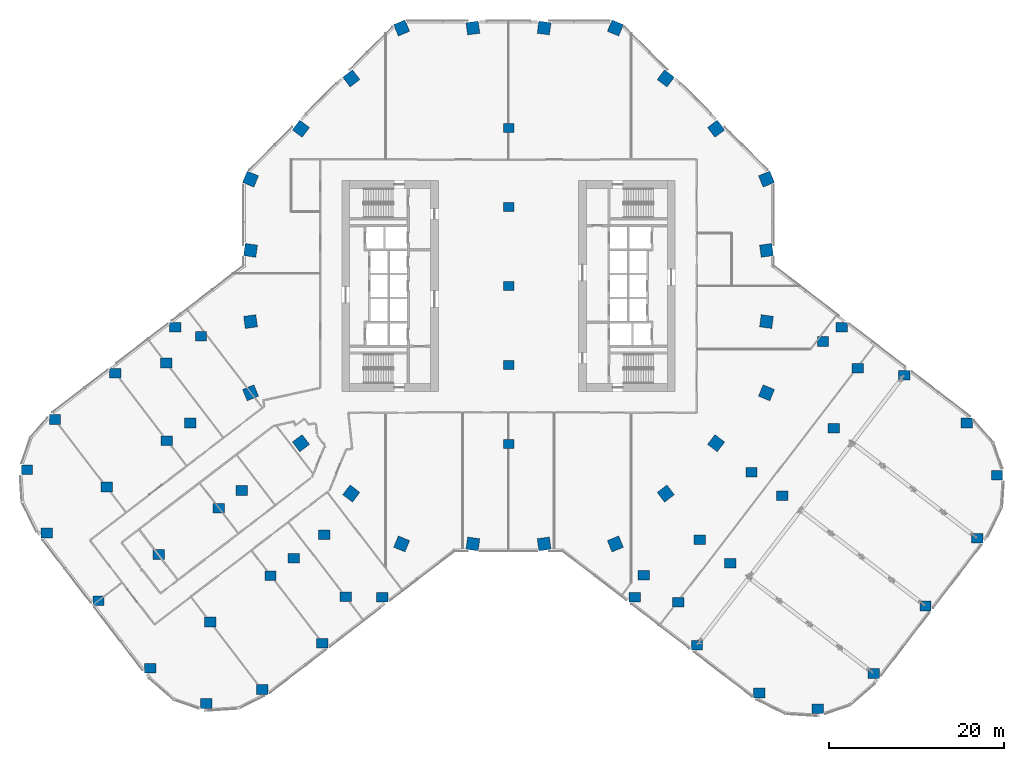
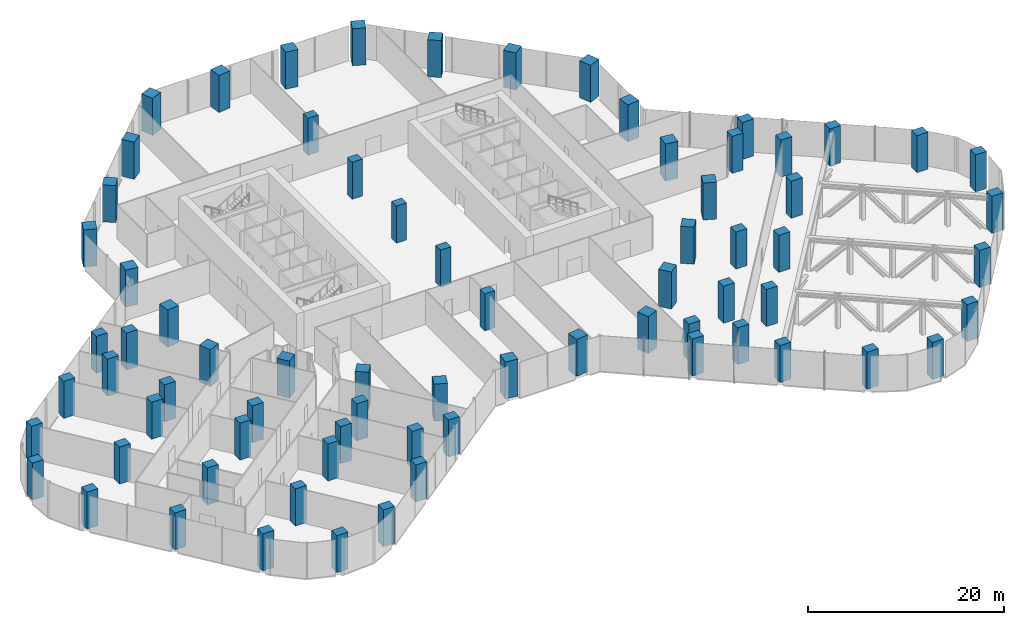
# One storey, part 1 of 30: 73 columns.
"""IFC4 building model written with IfcOpenShell, lengths in metres."""

from ifc_helpers import new_model, si_unit, direction, frame, origin, origin_2d, place, context, subcontext, project, spatial, rectangle, extrude, material, material_profile, profile_set, type_object, element, save


model = new_model("IFC4")

# Units and contexts
model_context = context("Model", 3, precision=1e-05, world=origin(), true_north=direction((0.0, 1.0)))
body_context = subcontext(model_context, "Body", "Model", "MODEL_VIEW")
ifc_project = project(units=[si_unit("LENGTHUNIT", "METRE"), si_unit("AREAUNIT", "SQUARE_METRE"), si_unit("VOLUMEUNIT", "CUBIC_METRE"), si_unit("PLANEANGLEUNIT", "RADIAN"), si_unit("MASSUNIT", "GRAM", prefix="KILO")], contexts=[model_context])

# Site, building, storey
site_placement = place(None, origin())
site = spatial("IfcSite", under=ifc_project, at=site_placement, CompositionType="ELEMENT")
building_placement = place(site_placement, origin())
building = spatial("IfcBuilding", under=site, at=building_placement, Name="Orlundy Tower", CompositionType="ELEMENT")
storey_placement = place(building_placement, frame((0.0, 0.0, 20.5)))
storey = spatial("IfcBuildingStorey", under=building, at=storey_placement, Name="L03", CompositionType="ELEMENT", Elevation=20.5)

# Columns
ifc_material_1 = material(Name="Concrete C80/95", Category="concrete")
ifc_material_profile_1 = material_profile(ifc_material_1, rectangle(XDim=1.199951171875, YDim=1.0, at=origin_2d()), Name="RC1200X1000")
ifc_profile_set_1 = profile_set([ifc_material_profile_1], Name="Concrete C80/95")
column_type_1 = type_object("IfcColumnType", Name="RC COLUMN RC1200X1000 C80/95", PredefinedType="COLUMN", material=ifc_profile_set_1)
for number, where, z_axis, x_axis, name in (
    (1, (0.0, -18.0, 0.0), (0.0, 0.0, 1.0), (1.0, 0.0, 0.0), "Column C-M1 L03"),
    (2, (0.0, -9.0, 0.0), (0.0, 0.0, 1.0), (1.0, 0.0, 0.0), "Column C-M2 L03"),
    (3, (0.0, 0.0, 0.0), (0.0, 0.0, 1.0), (1.0, 0.0, 0.0), "Column C-M3 L03"),
    (4, (0.0, 9.0, 0.0), (0.0, 0.0, 1.0), (1.0, 0.0, 0.0), "Column C-M4 L03"),
    (5, (0.0, 18.0, 0.0), (0.0, 0.0, 1.0), (1.0, 0.0, 0.0), "Column C-M5 L03"),
):
    element("IfcColumn", number, at=place(storey_placement, frame(where, z_axis=z_axis, x_axis=x_axis)), inside=storey, type_object=column_type_1, Name=name, PredefinedType="COLUMN", context=body_context, shape_type="SweptSolid", body=[
        extrude(rectangle(XDim=1.199951171875, YDim=1.0, at=origin_2d()), origin(), (0.0, 0.0, 1.0), 4.60009765625),
    ])
ifc_material_2 = material(Name="Concrete C80/95", Category="concrete")
ifc_material_profile_2 = material_profile(ifc_material_2, rectangle(XDim=1.300048828125, YDim=1.10009765625, at=origin_2d()), Name="RC1300X1100")
ifc_profile_set_2 = profile_set([ifc_material_profile_2], Name="Concrete C80/95")
column_type_2 = type_object("IfcColumnType", Name="RC COLUMN RC1300X1100 C80/95", PredefinedType="COLUMN", material=ifc_profile_set_2)
for number, where, z_axis, x_axis, name in (
    (6, (14.37109375, -35.47998046875, 0.0), (0.0, 0.0, 1.0), (1.0, 0.0, 0.0), "Column C-A1-1 L03"),
    (7, (21.48388671875, -40.93896484375, 0.0), (0.0, 0.0, 1.0), (1.0, 0.0, 0.0), "Column C-A1-2 L03"),
    (8, (28.597900390625, -46.39697265625, 0.0), (0.0, 0.0, 1.0), (1.0, 0.0, 0.0), "Column C-A1-3 L03"),
    (9, (35.23095703125, -48.200927734375, 0.0), (0.0, 0.0, 1.0), (1.0, 0.0, 0.0), "Column C-A1-5 L03"),
    (10, (19.364013671875, -36.02587890625, 0.0), (0.0, 0.0, 1.0), (1.0, 0.0, 0.0), "Column C-A1-6 L03"),
    (11, (15.39697265625, -32.98193359375, 0.0), (0.0, 0.0, 1.0), (1.0, 0.0, 0.0), "Column C-A1-7 L03"),
    (12, (41.616943359375, -44.159912109375, 0.0), (0.0, 0.0, 1.0), (1.0, 0.0, 0.0), "Column C-A2-5 L03"),
    (13, (25.27392578125, -31.6201171875, 0.0), (0.0, 0.0, 1.0), (1.0, 0.0, 0.0), "Column C-A2-6 L03"),
    (14, (21.782958984375, -28.94091796875, 0.0), (0.0, 0.0, 1.0), (1.0, 0.0, 0.0), "Column C-A2-7 L03"),
    (15, (47.52197265625, -36.465087890625, 0.0), (0.0, 0.0, 1.0), (1.0, 0.0, 0.0), "Column C-A3-5 L03"),
    (16, (31.178955078125, -23.924072265625, 0.0), (0.0, 0.0, 1.0), (1.0, 0.0, 0.0), "Column C-A3-6 L03"),
    (17, (27.68798828125, -21.24609375, 0.0), (0.0, 0.0, 1.0), (1.0, 0.0, 0.0), "Column C-A3-7 L03"),
    (18, (53.427001953125, -28.76904296875, 0.0), (0.0, 0.0, 1.0), (1.0, 0.0, 0.0), "Column C-A4-5 L03"),
    (19, (37.083984375, -16.22900390625, 0.0), (0.0, 0.0, 1.0), (1.0, 0.0, 0.0), "Column C-A4-6 L03"),
    (20, (37.990966796875, -4.697998046875, 0.0), (0.0, 0.0, 1.0), (1.0, 0.0, 0.0), "Column C-A5-1 L03"),
    (21, (45.10400390625, -10.156982421875, 0.0), (0.0, 0.0, 1.0), (1.0, 0.0, 0.0), "Column C-A5-2 L03"),
    (22, (52.218017578125, -15.614990234375, 0.0), (0.0, 0.0, 1.0), (1.0, 0.0, 0.0), "Column C-A5-3 L03"),
    (23, (55.677001953125, -21.554931640625, 0.0), (0.0, 0.0, 1.0), (1.0, 0.0, 0.0), "Column C-A5-5 L03"),
    (24, (39.81005859375, -9.3798828125, 0.0), (0.0, 0.0, 1.0), (1.0, 0.0, 0.0), "Column C-A5-6 L03"),
    (25, (35.843017578125, -6.3359375, 0.0), (0.0, 0.0, 1.0), (1.0, 0.0, 0.0), "Column C-A5-7 L03"),
    (26, (-37.990966796875, -4.697998046875, 0.0), (0.0, 0.0, 1.0), (1.0, 0.0, 0.0), "Column C-B1-1 L03"),
    (27, (-44.840087890625, -9.9541015625, 0.0), (0.0, 0.0, 1.0), (1.0, 0.0, 0.0), "Column C-B1-2 L03"),
    (28, (-51.68701171875, -15.2119140625, 0.0), (0.0, 0.0, 1.0), (1.0, 0.0, 0.0), "Column C-B1-3 L03"),
    (29, (-54.884033203125, -20.946044921875, 0.0), (0.0, 0.0, 1.0), (1.0, 0.0, 0.0), "Column C-B1-5 L03"),
    (30, (-39.01611328125, -8.77099609375, 0.0), (0.0, 0.0, 1.0), (1.0, 0.0, 0.0), "Column C-B1-6 L03"),
    (31, (-35.050048828125, -5.72705078125, 0.0), (0.0, 0.0, 1.0), (1.0, 0.0, 0.0), "Column C-B1-7 L03"),
    (32, (-38.93505859375, -17.64892578125, 0.0), (0.0, 0.0, 1.0), (1.0, 0.0, 0.0), "Column C-B2-2 L03"),
    (33, (-45.783935546875, -22.905029296875, 0.0), (0.0, 0.0, 1.0), (1.0, 0.0, 0.0), "Column C-B2-3 L03"),
    (34, (-52.633056640625, -28.160888671875, 0.0), (0.0, 0.0, 1.0), (1.0, 0.0, 0.0), "Column C-B2-5 L03"),
    (35, (-36.2900390625, -15.6201171875, 0.0), (0.0, 0.0, 1.0), (1.0, 0.0, 0.0), "Column C-B2-6 L03"),
    (36, (-33.030029296875, -25.344970703125, 0.0), (0.0, 0.0, 1.0), (1.0, 0.0, 0.0), "Column C-B3-2 L03"),
    (37, (-39.87890625, -30.60009765625, 0.0), (0.0, 0.0, 1.0), (1.0, 0.0, 0.0), "Column C-B3-3 L03"),
    (38, (-46.72900390625, -35.85595703125, 0.0), (0.0, 0.0, 1.0), (1.0, 0.0, 0.0), "Column C-B3-5 L03"),
    (39, (-30.385009765625, -23.31591796875, 0.0), (0.0, 0.0, 1.0), (1.0, 0.0, 0.0), "Column C-B3-6 L03"),
    (40, (-27.125, -33.0400390625, 0.0), (0.0, 0.0, 1.0), (1.0, 0.0, 0.0), "Column C-B4-2 L03"),
    (41, (-33.97412109375, -38.2958984375, 0.0), (0.0, 0.0, 1.0), (1.0, 0.0, 0.0), "Column C-B4-3 L03"),
    (42, (-40.823974609375, -43.552001953125, 0.0), (0.0, 0.0, 1.0), (1.0, 0.0, 0.0), "Column C-B4-5 L03"),
    (43, (-24.47998046875, -31.010986328125, 0.0), (0.0, 0.0, 1.0), (1.0, 0.0, 0.0), "Column C-B4-6 L03"),
    (44, (-20.989990234375, -28.3330078125, 0.0), (0.0, 0.0, 1.0), (1.0, 0.0, 0.0), "Column C-B4-7 L03"),
    (45, (-14.37109375, -35.47998046875, 0.0), (0.0, 0.0, 1.0), (1.0, 0.0, 0.0), "Column C-B5-1 L03"),
    (46, (-21.219970703125, -40.736083984375, 0.0), (0.0, 0.0, 1.0), (1.0, 0.0, 0.0), "Column C-B5-2 L03"),
    (47, (-28.072021484375, -45.988037109375, 0.0), (0.0, 0.0, 1.0), (1.0, 0.0, 0.0), "Column C-B5-3 L03"),
    (48, (-34.43701171875, -47.592041015625, 0.0), (0.0, 0.0, 1.0), (1.0, 0.0, 0.0), "Column C-B5-5 L03"),
    (49, (-18.570068359375, -35.4169921875, 0.0), (0.0, 0.0, 1.0), (1.0, 0.0, 0.0), "Column C-B5-6 L03"),
):
    element("IfcColumn", number, at=place(storey_placement, frame(where, z_axis=z_axis, x_axis=x_axis)), inside=storey, type_object=column_type_2, Name=name, PredefinedType="COLUMN", context=body_context, shape_type="SweptSolid", body=[
        extrude(rectangle(XDim=1.300048828125, YDim=1.10009765625, at=origin_2d()), origin(), (0.0, 0.0, 1.0), 4.60009765625),
    ])
ifc_material_3 = material(Name="Concrete C80/95", Category="concrete")
ifc_material_profile_3 = material_profile(ifc_material_3, rectangle(XDim=1.39990234375, YDim=1.39990234375, at=origin_2d()), Name="RC1400X1400")
ifc_profile_set_3 = profile_set([ifc_material_profile_3], Name="Concrete C80/95")
column_type_3 = type_object("IfcColumnType", Name="RC COLUMN RC1400X1400 C80/95", PredefinedType="COLUMN", material=ifc_profile_set_3)
for number, where, z_axis, x_axis, name in (
    (50, (29.39990234375, 12.177978515625, 0.0), (0.0, 0.0, 1.0), (0.923879532511, 0.382683432365, 0.0), "Column C-H01 L03"),
    (51, (29.39990234375, 4.05908203125, 0.0), (0.0, 0.0, 1.0), (0.990602789303, 0.136770295844, 0.0), "Column C-H02 L03"),
    (52, (29.39990234375, -4.05908203125, 0.0), (0.0, 0.0, 1.0), (0.990602789303, -0.136770295844, 0.0), "Column C-H03 L03"),
    (53, (29.39990234375, -12.177978515625, 0.0), (0.0, 0.0, 1.0), (0.923879532511, -0.382683432365, 0.0), "Column C-H04 L03"),
    (54, (23.658935546875, -17.9189453125, 0.0), (0.0, 0.0, 1.0), (0.797162615875, -0.603764659327, 0.0), "Column C-H05 L03"),
    (55, (17.9189453125, -23.658935546875, 0.0), (0.0, 0.0, 1.0), (0.603764659327, -0.797162615875, 0.0), "Column C-H06 L03"),
    (56, (12.177978515625, -29.39990234375, 0.0), (0.0, 0.0, 1.0), (0.382683432365, -0.923879532511, 0.0), "Column C-H07 L03"),
    (57, (4.05908203125, -29.39990234375, 0.0), (0.0, 0.0, 1.0), (0.136770295844, -0.990602789303, 0.0), "Column C-H08 L03"),
    (58, (-4.05908203125, -29.39990234375, 0.0), (0.0, 0.0, 1.0), (-0.136770295844, -0.990602789303, 0.0), "Column C-H09 L03"),
    (59, (-12.177978515625, -29.39990234375, 0.0), (0.0, 0.0, 1.0), (-0.382683432365, -0.923879532511, 0.0), "Column C-H10 L03"),
    (60, (-17.9189453125, -23.658935546875, 0.0), (0.0, 0.0, 1.0), (-0.603764659327, -0.797162615875, 0.0), "Column C-H11 L03"),
    (61, (-23.658935546875, -17.9189453125, 0.0), (0.0, 0.0, 1.0), (-0.797162615875, -0.603764659327, 0.0), "Column C-H12 L03"),
    (62, (-29.39990234375, -12.177978515625, 0.0), (0.0, 0.0, 1.0), (-0.923879532511, -0.382683432365, 0.0), "Column C-H13 L03"),
    (63, (-29.39990234375, -4.05908203125, 0.0), (0.0, 0.0, 1.0), (-0.990602789303, -0.136770295844, 0.0), "Column C-H14 L03"),
    (64, (-29.39990234375, 4.05908203125, 0.0), (0.0, 0.0, 1.0), (-0.990602789303, 0.136770295844, 0.0), "Column C-H15 L03"),
    (65, (-29.39990234375, 12.177978515625, 0.0), (0.0, 0.0, 1.0), (-0.923879532511, 0.382683432365, 0.0), "Column C-H16 L03"),
    (66, (-23.658935546875, 17.9189453125, 0.0), (0.0, 0.0, 1.0), (-0.797162615875, 0.603764659327, 0.0), "Column C-H17 L03"),
    (67, (-17.9189453125, 23.658935546875, 0.0), (0.0, 0.0, 1.0), (-0.603764659327, 0.797162615875, 0.0), "Column C-H18 L03"),
    (68, (-12.177978515625, 29.39990234375, 0.0), (0.0, 0.0, 1.0), (-0.382683432365, 0.923879532511, 0.0), "Column C-H19 L03"),
    (69, (-4.05908203125, 29.39990234375, 0.0), (0.0, 0.0, 1.0), (-0.136770295844, 0.990602789303, 0.0), "Column C-H20 L03"),
    (70, (4.05908203125, 29.39990234375, 0.0), (0.0, 0.0, 1.0), (0.136770295844, 0.990602789303, 0.0), "Column C-H21 L03"),
    (71, (12.177978515625, 29.39990234375, 0.0), (0.0, 0.0, 1.0), (0.382683432365, 0.923879532511, 0.0), "Column C-H22 L03"),
    (72, (17.9189453125, 23.658935546875, 0.0), (0.0, 0.0, 1.0), (0.603764659327, 0.797162615875, 0.0), "Column C-H23 L03"),
    (73, (23.658935546875, 17.9189453125, 0.0), (0.0, 0.0, 1.0), (0.797162615875, 0.603764659327, 0.0), "Column C-H24 L03"),
):
    element("IfcColumn", number, at=place(storey_placement, frame(where, z_axis=z_axis, x_axis=x_axis)), inside=storey, type_object=column_type_3, Name=name, PredefinedType="COLUMN", context=body_context, shape_type="SweptSolid", body=[
        extrude(rectangle(XDim=1.39990234375, YDim=1.39990234375, at=origin_2d()), origin(), (0.0, 0.0, 1.0), 4.60009765625),
    ])

save(model, "model.ifc")
